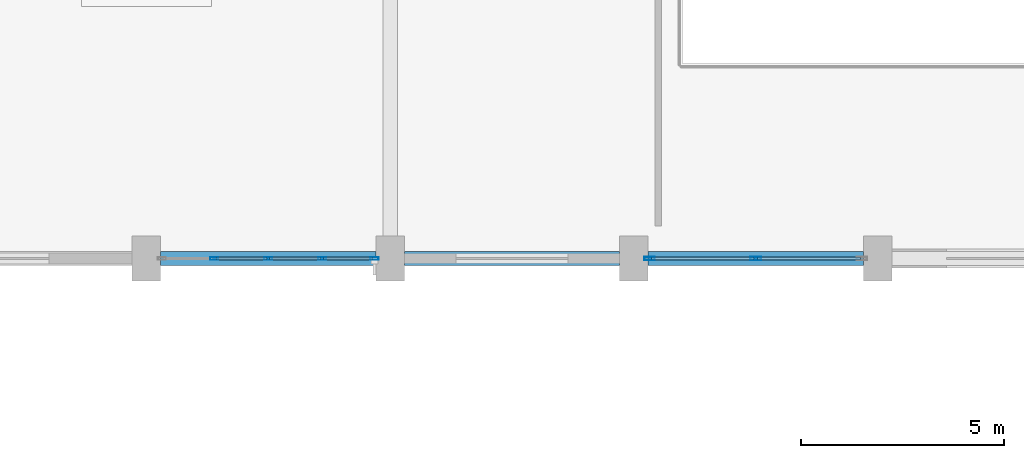
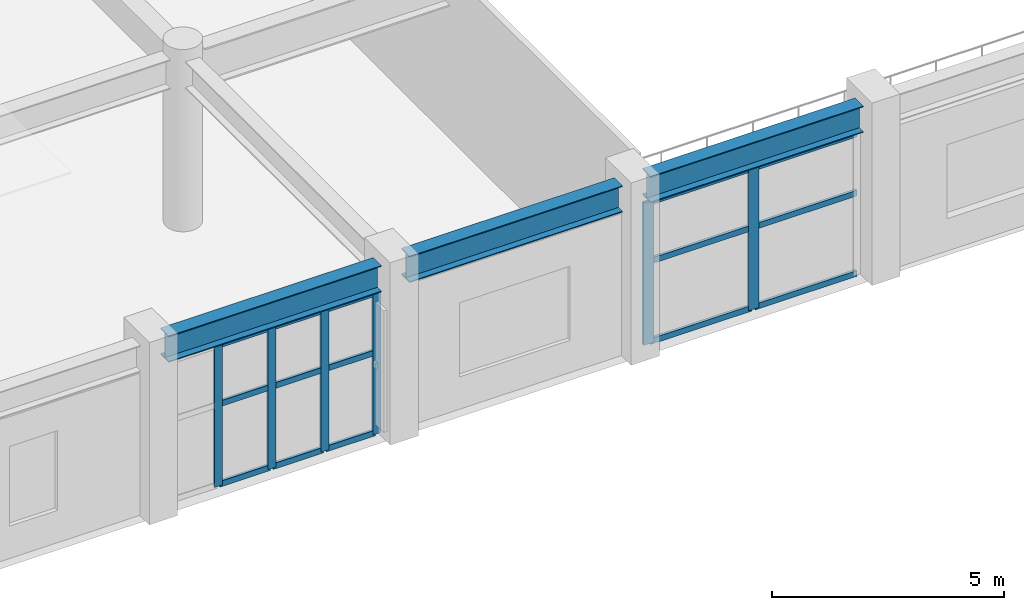
# One storey, part 19 of 96: 21 members, 3 beams, 2 elements without a shape of their own.
"""IFC4 building model written with IfcOpenShell, lengths in metres."""

from ifc_helpers import new_model, si_unit, direction, frame, origin, origin_2d, place, context, subcontext, project, spatial, hollow_rectangle, i_section, extrude, material, layer, layer_set, material_profile, profile_set, type_object, element, aggregate, save


model = new_model("IFC4")

# Units and contexts
model_context = context("Model", 3, precision=1e-05, world=origin(), true_north=direction((0.0, 1.0)))
body_context = subcontext(model_context, "Body", "Model", "MODEL_VIEW")
ifc_project = project(units=[si_unit("LENGTHUNIT", "METRE"), si_unit("AREAUNIT", "SQUARE_METRE"), si_unit("VOLUMEUNIT", "CUBIC_METRE"), si_unit("PLANEANGLEUNIT", "RADIAN"), si_unit("MASSUNIT", "GRAM", prefix="KILO")], contexts=[model_context])

# Site, building, storey
site_placement = place(None, origin())
site = spatial("IfcSite", under=ifc_project, at=site_placement, CompositionType="ELEMENT")
building_placement = place(site_placement, origin())
building = spatial("IfcBuilding", under=site, at=building_placement, Name="Vaelkrest Opera House", CompositionType="ELEMENT")
storey_placement = place(building_placement, frame((0.0, 0.0, 5.39990234375)))
storey = spatial("IfcBuildingStorey", under=building, at=storey_placement, Name="L01", CompositionType="ELEMENT", Elevation=5.39990234375)

# Curtain wall, members
ifc_material_1 = material(Name="Dark bronze anodized aluminium", Category="aluminium")
ifc_layer_1 = layer(ifc_material_1, 0.18994140625)
ifc_layer_set_1 = layer_set([ifc_layer_1], Name="Dark bronze anodized aluminium")
curtain_wall_type_1 = type_object("IfcCurtainWallType", Name="CW02", PredefinedType="NOTDEFINED", material=ifc_layer_set_1)
curtain_wall_1_placement = place(storey_placement, origin())
curtain_wall_1 = element("IfcCurtainWall", 1, at=curtain_wall_1_placement, inside=storey, type_object=curtain_wall_type_1, Name="Curtain wall CW-L01-024", PredefinedType="NOTDEFINED")
ifc_material_profile_1 = material_profile(ifc_material_1, hollow_rectangle(XDim=0.070068359375, YDim=0.199951171875, WallThickness=0.004150390625, at=origin_2d()), Name="CWM70X200")
ifc_profile_set_1 = profile_set([ifc_material_profile_1], Name="Dark bronze anodized aluminium")
member_type_1 = type_object("IfcMemberType", Name="CWM02", PredefinedType="MULLION", material=ifc_profile_set_1)
member_1_placement = place(storey_placement, frame((-18.383056640625, -55.800048828125, 0.0), z_axis=(0.0, 0.0, 1.0), x_axis=(0.0, -1.0, 0.0)))
member_1 = element("IfcMember", 2, at=member_1_placement, type_object=member_type_1, Name="CW02 mullion 1", PredefinedType="MULLION", context=body_context, shape_type="SweptSolid", body=[
    extrude(hollow_rectangle(XDim=0.070068359375, YDim=0.199951171875, WallThickness=0.004150390625, at=origin_2d()), origin(), (0.0, 0.0, 1.0), 3.739990234375),
])
member_2_placement = place(storey_placement, frame((-19.674072265625, -55.800048828125, 0.0), z_axis=(0.0, 0.0, 1.0), x_axis=(0.0, -1.0, 0.0)))
member_2 = element("IfcMember", 3, at=member_2_placement, type_object=member_type_1, Name="CW02 mullion 2", PredefinedType="MULLION", context=body_context, shape_type="SweptSolid", body=[
    extrude(hollow_rectangle(XDim=0.070068359375, YDim=0.199951171875, WallThickness=0.004150390625, at=origin_2d()), origin(), (0.0, 0.0, 1.0), 3.739990234375),
])
member_3_placement = place(storey_placement, frame((-21.0, -55.800048828125, 0.0), z_axis=(0.0, 0.0, 1.0), x_axis=(0.0, -1.0, 0.0)))
member_3 = element("IfcMember", 4, at=member_3_placement, type_object=member_type_1, Name="CW02 mullion 3", PredefinedType="MULLION", context=body_context, shape_type="SweptSolid", body=[
    extrude(hollow_rectangle(XDim=0.070068359375, YDim=0.199951171875, WallThickness=0.004150390625, at=origin_2d()), origin(), (0.0, 0.0, 1.0), 3.739990234375),
])
member_4_placement = place(storey_placement, frame((-22.325927734375, -55.800048828125, 0.0), z_axis=(0.0, 0.0, 1.0), x_axis=(0.0, -1.0, 0.0)))
member_4 = element("IfcMember", 5, at=member_4_placement, type_object=member_type_1, Name="CW02 mullion 4", PredefinedType="MULLION", context=body_context, shape_type="SweptSolid", body=[
    extrude(hollow_rectangle(XDim=0.070068359375, YDim=0.199951171875, WallThickness=0.004150390625, at=origin_2d()), origin(), (0.0, 0.0, 1.0), 3.739990234375),
])

ifc_layer_2 = layer(ifc_material_1, 0.25)
ifc_layer_set_2 = layer_set([ifc_layer_2], Name="Dark bronze anodized aluminium")
curtain_wall_type_2 = type_object("IfcCurtainWallType", Name="CW08", PredefinedType="NOTDEFINED", material=ifc_layer_set_2)
curtain_wall_2_placement = place(storey_placement, origin())
curtain_wall_2 = element("IfcCurtainWall", 6, at=curtain_wall_2_placement, inside=storey, type_object=curtain_wall_type_2, Name="Curtain wall CW-L01-023", PredefinedType="NOTDEFINED")
ifc_material_profile_2 = material_profile(ifc_material_1, hollow_rectangle(XDim=0.080078125, YDim=0.260009765625, WallThickness=0.0048828125, at=origin_2d()), Name="CWM80X260")
ifc_profile_set_2 = profile_set([ifc_material_profile_2], Name="Dark bronze anodized aluminium")
member_type_2 = type_object("IfcMemberType", Name="CWM04", PredefinedType="MULLION", material=ifc_profile_set_2)
member_5_placement = place(storey_placement, frame((-9.0, -55.800048828125, 0.0), z_axis=(0.0, 0.0, 1.0), x_axis=(0.0, -1.0, 0.0)))
member_5 = element("IfcMember", 7, at=member_5_placement, type_object=member_type_2, Name="CW08 mullion 2", PredefinedType="MULLION", context=body_context, shape_type="SweptSolid", body=[
    extrude(hollow_rectangle(XDim=0.080078125, YDim=0.260009765625, WallThickness=0.0048828125, at=origin_2d()), origin(), (0.0, 0.0, 1.0), 3.739990234375),
])
member_6_placement = place(storey_placement, frame((-11.612060546875, -55.800048828125, 0.0), z_axis=(0.0, 0.0, 1.0), x_axis=(0.0, -1.0, 0.0)))
member_6 = element("IfcMember", 8, at=member_6_placement, type_object=member_type_2, Name="CW08 mullion 3", PredefinedType="MULLION", context=body_context, shape_type="SweptSolid", body=[
    extrude(hollow_rectangle(XDim=0.080078125, YDim=0.260009765625, WallThickness=0.0048828125, at=origin_2d()), origin(), (0.0, 0.0, 1.0), 3.739990234375),
])
ifc_material_profile_3 = material_profile(ifc_material_1, hollow_rectangle(XDim=0.070068359375, YDim=0.14990234375, WallThickness=0.004150390625, at=origin_2d()), Name="CWT70X150")
ifc_profile_set_3 = profile_set([ifc_material_profile_3], Name="Dark bronze anodized aluminium")
member_type_3 = type_object("IfcMemberType", Name="CWT02", PredefinedType="USERDEFINED", material=ifc_profile_set_3)
member_7_placement = place(storey_placement, frame((-6.427978515625, -55.800048828125, 0.03515625), z_axis=(-1.0, 0.0, 0.0), x_axis=(0.0, -1.0, 0.0)))
member_7 = element("IfcMember", 9, at=member_7_placement, type_object=member_type_3, Name="CW08 transom 1.1", ObjectType="TRANSOM", PredefinedType="USERDEFINED", context=body_context, shape_type="SweptSolid", body=[
    extrude(hollow_rectangle(XDim=0.070068359375, YDim=0.14990234375, WallThickness=0.004150390625, at=origin_2d()), origin(), (0.0, 0.0, 1.0), 2.531982421875),
])
member_8_placement = place(storey_placement, frame((-6.427978515625, -55.800048828125, 2.150146484375), z_axis=(-1.0, 0.0, 0.0), x_axis=(0.0, -1.0, 0.0)))
member_8 = element("IfcMember", 10, at=member_8_placement, type_object=member_type_3, Name="CW08 transom 1.2", ObjectType="TRANSOM", PredefinedType="USERDEFINED", context=body_context, shape_type="SweptSolid", body=[
    extrude(hollow_rectangle(XDim=0.070068359375, YDim=0.14990234375, WallThickness=0.004150390625, at=origin_2d()), origin(), (0.0, 0.0, 1.0), 2.531982421875),
])
member_9_placement = place(storey_placement, frame((-6.427978515625, -55.800048828125, 3.705078125), z_axis=(-1.0, 0.0, 0.0), x_axis=(0.0, -1.0, 0.0)))
member_9 = element("IfcMember", 11, at=member_9_placement, type_object=member_type_3, Name="CW08 transom 1.3", ObjectType="TRANSOM", PredefinedType="USERDEFINED", context=body_context, shape_type="SweptSolid", body=[
    extrude(hollow_rectangle(XDim=0.070068359375, YDim=0.14990234375, WallThickness=0.004150390625, at=origin_2d()), origin(), (0.0, 0.0, 1.0), 2.531982421875),
])
member_10_placement = place(storey_placement, frame((-9.0400390625, -55.800048828125, 0.03515625), z_axis=(-1.0, 0.0, 0.0), x_axis=(0.0, -1.0, 0.0)))
member_10 = element("IfcMember", 12, at=member_10_placement, type_object=member_type_3, Name="CW08 transom 2.1", ObjectType="TRANSOM", PredefinedType="USERDEFINED", context=body_context, shape_type="SweptSolid", body=[
    extrude(hollow_rectangle(XDim=0.070068359375, YDim=0.14990234375, WallThickness=0.004150390625, at=origin_2d()), origin(), (0.0, 0.0, 1.0), 2.531982421875),
])
member_11_placement = place(storey_placement, frame((-9.0400390625, -55.800048828125, 2.150146484375), z_axis=(-1.0, 0.0, 0.0), x_axis=(0.0, -1.0, 0.0)))
member_11 = element("IfcMember", 13, at=member_11_placement, type_object=member_type_3, Name="CW08 transom 2.2", ObjectType="TRANSOM", PredefinedType="USERDEFINED", context=body_context, shape_type="SweptSolid", body=[
    extrude(hollow_rectangle(XDim=0.070068359375, YDim=0.14990234375, WallThickness=0.004150390625, at=origin_2d()), origin(), (0.0, 0.0, 1.0), 2.531982421875),
])
member_12_placement = place(storey_placement, frame((-9.0400390625, -55.800048828125, 3.705078125), z_axis=(-1.0, 0.0, 0.0), x_axis=(0.0, -1.0, 0.0)))
member_12 = element("IfcMember", 14, at=member_12_placement, type_object=member_type_3, Name="CW08 transom 2.3", ObjectType="TRANSOM", PredefinedType="USERDEFINED", context=body_context, shape_type="SweptSolid", body=[
    extrude(hollow_rectangle(XDim=0.070068359375, YDim=0.14990234375, WallThickness=0.004150390625, at=origin_2d()), origin(), (0.0, 0.0, 1.0), 2.531982421875),
])
aggregate(curtain_wall_2, [member_5, member_6, member_7, member_8, member_9, member_10, member_11, member_12])

# Member
member_13_placement = place(storey_placement, frame((-18.41796875, -55.800048828125, 0.03515625), z_axis=(-1.0, 0.0, 0.0), x_axis=(0.0, -1.0, 0.0)))
member_13 = element("IfcMember", 15, at=member_13_placement, type_object=member_type_3, Name="CW02 transom 1.1", ObjectType="TRANSOM", PredefinedType="USERDEFINED", context=body_context, shape_type="SweptSolid", body=[
    extrude(hollow_rectangle(XDim=0.070068359375, YDim=0.14990234375, WallThickness=0.004150390625, at=origin_2d()), origin(), (0.0, 0.0, 1.0), 1.220947265625),
])

member_14_placement = place(storey_placement, frame((-18.41796875, -55.800048828125, 2.150146484375), z_axis=(-1.0, 0.0, 0.0), x_axis=(0.0, -1.0, 0.0)))
member_14 = element("IfcMember", 16, at=member_14_placement, type_object=member_type_3, Name="CW02 transom 1.2", ObjectType="TRANSOM", PredefinedType="USERDEFINED", context=body_context, shape_type="SweptSolid", body=[
    extrude(hollow_rectangle(XDim=0.070068359375, YDim=0.14990234375, WallThickness=0.004150390625, at=origin_2d()), origin(), (0.0, 0.0, 1.0), 1.220947265625),
])

member_15_placement = place(storey_placement, frame((-18.41796875, -55.800048828125, 3.705078125), z_axis=(-1.0, 0.0, 0.0), x_axis=(0.0, -1.0, 0.0)))
member_15 = element("IfcMember", 17, at=member_15_placement, type_object=member_type_3, Name="CW02 transom 1.3", ObjectType="TRANSOM", PredefinedType="USERDEFINED", context=body_context, shape_type="SweptSolid", body=[
    extrude(hollow_rectangle(XDim=0.070068359375, YDim=0.14990234375, WallThickness=0.004150390625, at=origin_2d()), origin(), (0.0, 0.0, 1.0), 1.220947265625),
])

member_16_placement = place(storey_placement, frame((-19.708984375, -55.800048828125, 0.03515625), z_axis=(-1.0, 0.0, 0.0), x_axis=(0.0, -1.0, 0.0)))
member_16 = element("IfcMember", 18, at=member_16_placement, type_object=member_type_3, Name="CW02 transom 2.1", ObjectType="TRANSOM", PredefinedType="USERDEFINED", context=body_context, shape_type="SweptSolid", body=[
    extrude(hollow_rectangle(XDim=0.070068359375, YDim=0.14990234375, WallThickness=0.004150390625, at=origin_2d()), origin(), (0.0, 0.0, 1.0), 1.256103515625),
])

member_17_placement = place(storey_placement, frame((-19.708984375, -55.800048828125, 2.150146484375), z_axis=(-1.0, 0.0, 0.0), x_axis=(0.0, -1.0, 0.0)))
member_17 = element("IfcMember", 19, at=member_17_placement, type_object=member_type_3, Name="CW02 transom 2.2", ObjectType="TRANSOM", PredefinedType="USERDEFINED", context=body_context, shape_type="SweptSolid", body=[
    extrude(hollow_rectangle(XDim=0.070068359375, YDim=0.14990234375, WallThickness=0.004150390625, at=origin_2d()), origin(), (0.0, 0.0, 1.0), 1.256103515625),
])

member_18_placement = place(storey_placement, frame((-19.708984375, -55.800048828125, 3.705078125), z_axis=(-1.0, 0.0, 0.0), x_axis=(0.0, -1.0, 0.0)))
member_18 = element("IfcMember", 20, at=member_18_placement, type_object=member_type_3, Name="CW02 transom 2.3", ObjectType="TRANSOM", PredefinedType="USERDEFINED", context=body_context, shape_type="SweptSolid", body=[
    extrude(hollow_rectangle(XDim=0.070068359375, YDim=0.14990234375, WallThickness=0.004150390625, at=origin_2d()), origin(), (0.0, 0.0, 1.0), 1.256103515625),
])

member_19_placement = place(storey_placement, frame((-21.034912109375, -55.800048828125, 0.03515625), z_axis=(-1.0, 0.0, 0.0), x_axis=(0.0, -1.0, 0.0)))
member_19 = element("IfcMember", 21, at=member_19_placement, type_object=member_type_3, Name="CW02 transom 3.1", ObjectType="TRANSOM", PredefinedType="USERDEFINED", context=body_context, shape_type="SweptSolid", body=[
    extrude(hollow_rectangle(XDim=0.070068359375, YDim=0.14990234375, WallThickness=0.004150390625, at=origin_2d()), origin(), (0.0, 0.0, 1.0), 1.256103515625),
])

member_20_placement = place(storey_placement, frame((-21.034912109375, -55.800048828125, 2.150146484375), z_axis=(-1.0, 0.0, 0.0), x_axis=(0.0, -1.0, 0.0)))
member_20 = element("IfcMember", 22, at=member_20_placement, type_object=member_type_3, Name="CW02 transom 3.2", ObjectType="TRANSOM", PredefinedType="USERDEFINED", context=body_context, shape_type="SweptSolid", body=[
    extrude(hollow_rectangle(XDim=0.070068359375, YDim=0.14990234375, WallThickness=0.004150390625, at=origin_2d()), origin(), (0.0, 0.0, 1.0), 1.256103515625),
])

member_21_placement = place(storey_placement, frame((-21.034912109375, -55.800048828125, 3.705078125), z_axis=(-1.0, 0.0, 0.0), x_axis=(0.0, -1.0, 0.0)))
member_21 = element("IfcMember", 23, at=member_21_placement, type_object=member_type_3, Name="CW02 transom 3.3", ObjectType="TRANSOM", PredefinedType="USERDEFINED", context=body_context, shape_type="SweptSolid", body=[
    extrude(hollow_rectangle(XDim=0.070068359375, YDim=0.14990234375, WallThickness=0.004150390625, at=origin_2d()), origin(), (0.0, 0.0, 1.0), 1.256103515625),
])

aggregate(curtain_wall_1, [member_1, member_2, member_3, member_4, member_13, member_14, member_15, member_16, member_17, member_18, member_19, member_20, member_21])

# Beams
ifc_material_2 = material(Name="Steel A992 Gr50", Category="steel")
ifc_material_profile_4 = material_profile(ifc_material_2, i_section(OverallWidth=0.35498046875, OverallDepth=0.695068359375, WebThickness=0.015380859375, FlangeThickness=0.02490234375, at=origin_2d()), Name="W27X146")
ifc_profile_set_4 = profile_set([ifc_material_profile_4], Name="Steel A992 Gr50")
beam_type = type_object("IfcBeamType", Name="SP02", PredefinedType="SPANDREL", material=ifc_profile_set_4)
for number, where, z_axis, x_axis, name in (
    (24, (-23.64990234375, -55.800048828125, 4.152587890625), (1.0, 0.0, 0.0), (0.0, 1.0, 0.0), "Beam BM-V1-L01-0206"),
    (25, (-17.64990234375, -55.800048828125, 4.152587890625), (1.0, 0.0, 0.0), (0.0, 1.0, 0.0), "Beam BM-V1-L01-0207"),
    (26, (-11.64990234375, -55.800048828125, 4.152587890625), (1.0, 0.0, 0.0), (0.0, 1.0, 0.0), "Beam BM-V1-L01-0208"),
):
    element("IfcBeam", number, at=place(storey_placement, frame(where, z_axis=z_axis, x_axis=x_axis)), inside=storey, type_object=beam_type, Name=name, PredefinedType="SPANDREL", context=body_context, shape_type="SweptSolid", body=[
        extrude(i_section(OverallWidth=0.35498046875, OverallDepth=0.695068359375, WebThickness=0.015380859375, FlangeThickness=0.02490234375, at=origin_2d()), origin(), (0.0, 0.0, 1.0), 5.2998046875),
    ])

save(model, "model.ifc")
